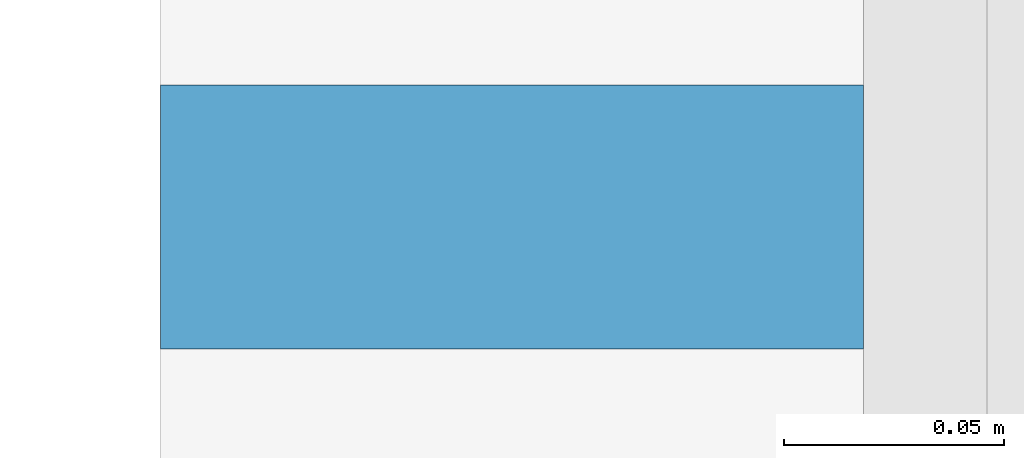
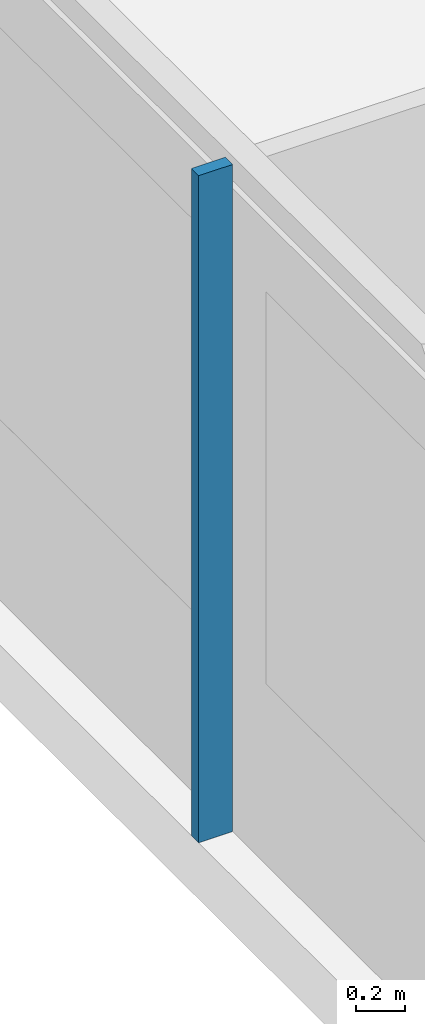
# One storey, part 4 of 30: 1 member, 1 element without a shape of its own.
"""IFC4 building model written with IfcOpenShell, lengths in metres."""

from ifc_helpers import new_model, si_unit, direction, frame, origin, origin_2d, place, context, subcontext, project, spatial, rectangle, extrude, material, material_profile, profile_set, type_object, element, aggregate, save


model = new_model("IFC4")

# Units and contexts
model_context = context("Model", 3, precision=1e-05, world=origin(), true_north=direction((0.0, 1.0)))
body_context = subcontext(model_context, "Body", "Model", "MODEL_VIEW")
ifc_project = project(units=[si_unit("LENGTHUNIT", "METRE"), si_unit("AREAUNIT", "SQUARE_METRE"), si_unit("VOLUMEUNIT", "CUBIC_METRE"), si_unit("PLANEANGLEUNIT", "RADIAN"), si_unit("MASSUNIT", "GRAM", prefix="KILO")], contexts=[model_context])

# Site, building, storey
site_placement = place(None, origin())
site = spatial("IfcSite", under=ifc_project, at=site_placement, CompositionType="ELEMENT")
building_placement = place(site_placement, origin())
building = spatial("IfcBuilding", under=site, at=building_placement, Name="Saffron Gate Tower", CompositionType="ELEMENT")
storey_placement = place(building_placement, frame((0.0, 0.0, 69.60009765625)))
storey = spatial("IfcBuildingStorey", under=building, at=storey_placement, Name="L16", CompositionType="ELEMENT", Elevation=69.60009765625)

# Curtain wall, member
ifc_material = material(Name="Aluminium, bronze anodised", Category="aluminium")
curtain_wall_type = type_object("IfcCurtainWallType", Name="CWS2 curtain wall side facades", PredefinedType="NOTDEFINED", material=ifc_material)
curtain_wall_placement = place(storey_placement, origin())
curtain_wall = element("IfcCurtainWall", 1, at=curtain_wall_placement, inside=storey, type_object=curtain_wall_type, Name="CWS2 run 10", PredefinedType="NOTDEFINED")
ifc_material_profile = material_profile(ifc_material, rectangle(XDim=0.159912109375, YDim=0.06005859375, at=origin_2d()))
ifc_profile_set = profile_set([ifc_material_profile], Name="Aluminium, bronze anodised")
member_type = type_object("IfcMemberType", Name="CWS2 mullion 60x160", PredefinedType="MULLION", material=ifc_profile_set)
member_placement = place(storey_placement, frame((48.080078125, 48.60009765625, 0.0), z_axis=(0.0, 0.0, 1.0), x_axis=(1.0, 0.0, 0.0)))
member = element("IfcMember", 2, at=member_placement, type_object=member_type, Name="CWS2 mullion 4", PredefinedType="MULLION", context=body_context, shape_type="SweptSolid", body=[
    extrude(rectangle(XDim=0.159912109375, YDim=0.06005859375, at=origin_2d()), origin(), (0.0, 0.0, 1.0), 3.31982421875),
])
aggregate(curtain_wall, [member])

save(model, "model.ifc")
